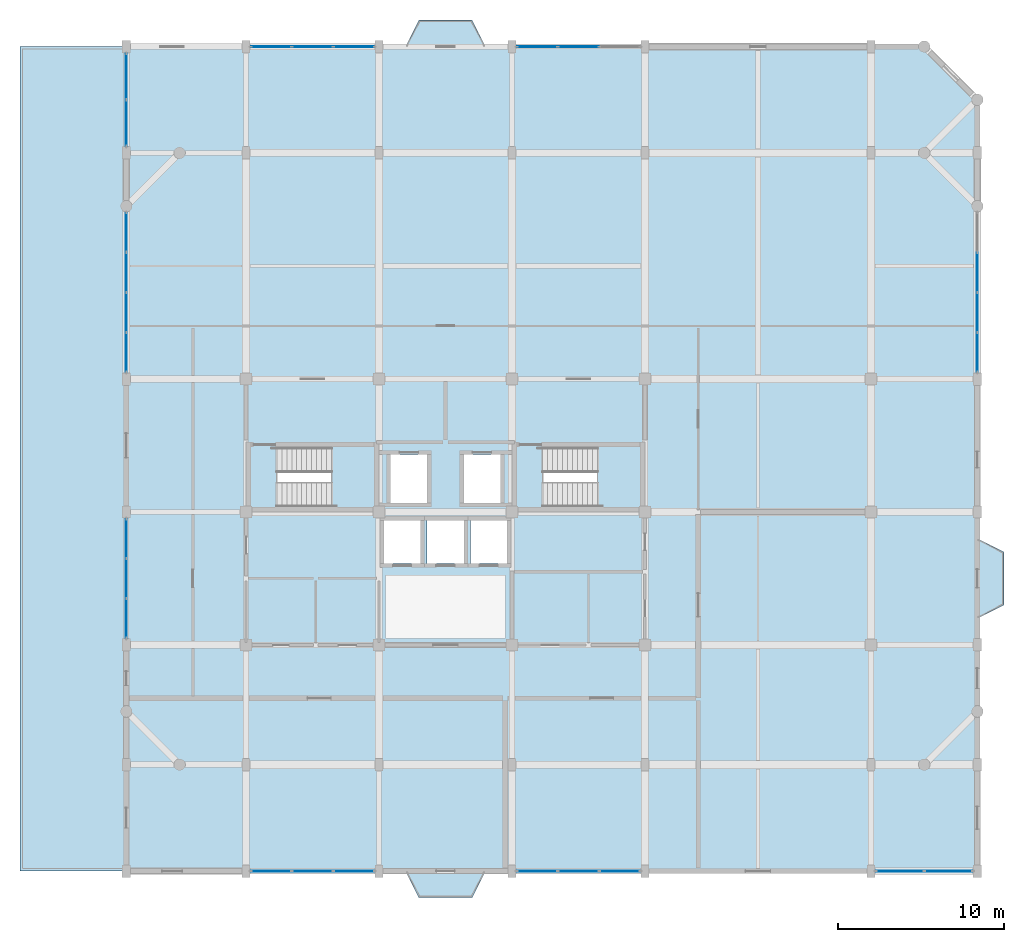
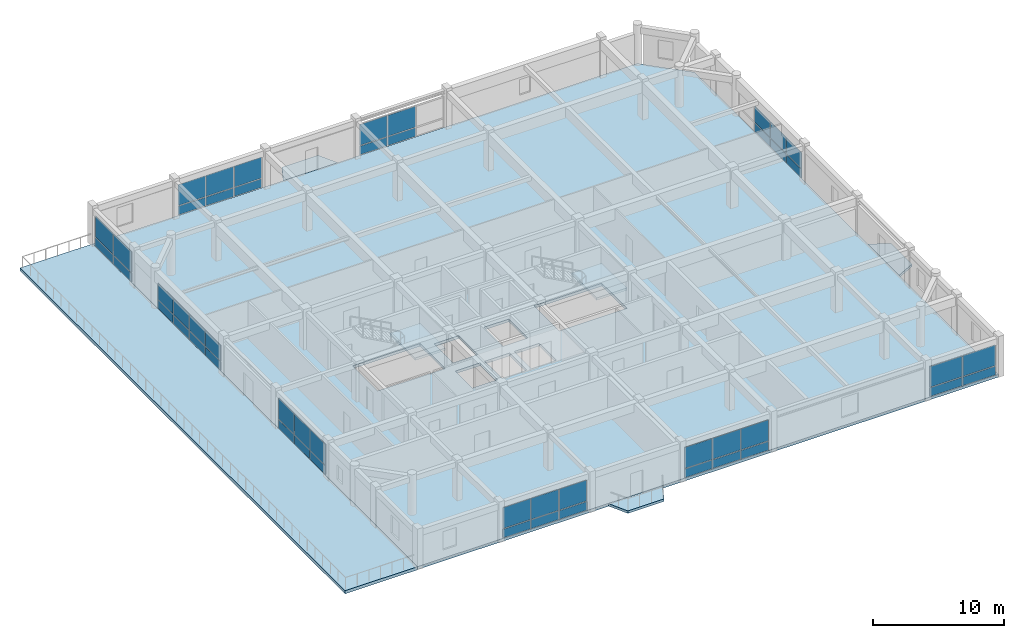
# One storey, part 8 of 13: 50 plates, 7 slabs, 11 elements without a shape of their own.
"""IFC4 building model written with IfcOpenShell, lengths in metres."""

from ifc_helpers import new_model, si_unit, direction, frame, origin, origin_2d, place, context, subcontext, project, spatial, polyline, rectangle, outline, extrude, material, layer, layer_set, type_object, element, aggregate, save


model = new_model("IFC4")

# Units and contexts
model_context = context("Model", 3, precision=1e-05, world=origin(), true_north=direction((0.0, 1.0)))
body_context = subcontext(model_context, "Body", "Model", "MODEL_VIEW")
ifc_project = project(units=[si_unit("LENGTHUNIT", "METRE"), si_unit("AREAUNIT", "SQUARE_METRE"), si_unit("VOLUMEUNIT", "CUBIC_METRE"), si_unit("PLANEANGLEUNIT", "RADIAN"), si_unit("MASSUNIT", "GRAM", prefix="KILO")], contexts=[model_context])

# Site, building, storey
site_placement = place(None, origin())
site = spatial("IfcSite", under=ifc_project, at=site_placement, CompositionType="ELEMENT")
building_placement = place(site_placement, origin())
building = spatial("IfcBuilding", under=site, at=building_placement, Name="Vellmiral Cinema and Media Centre", CompositionType="ELEMENT")
storey_placement = place(building_placement, frame((0.0, 0.0, 39.5)))
storey = spatial("IfcBuildingStorey", under=building, at=storey_placement, Name="L09", CompositionType="ELEMENT", Elevation=39.5)

# Curtain wall, plates
ifc_material_1 = material(Name="Thermally Broken Aluminium and Triple Glazing", Category="aluminium")
curtain_wall_type_1 = type_object("IfcCurtainWallType", Name="CW-TOWER-MID-W", PredefinedType="USERDEFINED", material=ifc_material_1)
curtain_wall_1_placement = place(storey_placement, origin())
curtain_wall_1 = element("IfcCurtainWall", 1, at=curtain_wall_1_placement, inside=storey, type_object=curtain_wall_type_1, Name="Curtain Wall L09-B018", ObjectType="UNITISED CURTAIN WALL", PredefinedType="USERDEFINED")
ifc_material_2 = material(Name="Laminated Studio Acoustic Glazing", Category="glass")
ifc_layer_1 = layer(ifc_material_2, 0.0439453125, Name="Laminated Studio Acoustic Glazing")
ifc_layer_set_1 = layer_set([ifc_layer_1], Name="Laminated Studio Acoustic Glazing")
plate_type_1 = type_object("IfcPlateType", Name="CWP-ACOUST-44", PredefinedType="CURTAIN_PANEL", material=ifc_layer_set_1)
plate_1_placement = place(storey_placement, frame((144.0, 115.199951171875, 0.9326171875), z_axis=(0.0, 0.0, 1.0), x_axis=(-1.0, 0.0, 0.0)))
plate_1 = element("IfcPlate", 2, at=plate_1_placement, type_object=plate_type_1, Name="CW-08 panel 2.2", PredefinedType="CURTAIN_PANEL", context=body_context, shape_type="SweptSolid", body=[
    extrude(rectangle(XDim=2.43505859375, YDim=0.0439453125, at=origin_2d()), origin(), (0.0, 0.0, 1.0), 1.9423828125),
])
plate_2_placement = place(storey_placement, frame((141.516357421875, 115.199951171875, 0.9326171875), z_axis=(0.0, 0.0, 1.0), x_axis=(-1.0, 0.0, 0.0)))
plate_2 = element("IfcPlate", 3, at=plate_2_placement, type_object=plate_type_1, Name="CW-08 panel 3.2", PredefinedType="CURTAIN_PANEL", context=body_context, shape_type="SweptSolid", body=[
    extrude(rectangle(XDim=2.402587890625, YDim=0.0439453125, at=origin_2d()), origin(), (0.0, 0.0, 1.0), 1.9423828125),
])

curtain_wall_2_placement = place(storey_placement, origin())
curtain_wall_2 = element("IfcCurtainWall", 4, at=curtain_wall_2_placement, inside=storey, type_object=curtain_wall_type_1, Name="Curtain Wall L09-B020", ObjectType="UNITISED CURTAIN WALL", PredefinedType="USERDEFINED")
plate_3_placement = place(storey_placement, frame((130.483642578125, 115.199951171875, 0.9326171875), z_axis=(0.0, 0.0, 1.0), x_axis=(-1.0, 0.0, 0.0)))
plate_3 = element("IfcPlate", 5, at=plate_3_placement, type_object=plate_type_1, Name="CW-08 panel 1.2", PredefinedType="CURTAIN_PANEL", context=body_context, shape_type="SweptSolid", body=[
    extrude(rectangle(XDim=2.402587890625, YDim=0.0439453125, at=origin_2d()), origin(), (0.0, 0.0, 1.0), 1.9423828125),
])
plate_4_placement = place(storey_placement, frame((128.0, 115.199951171875, 0.9326171875), z_axis=(0.0, 0.0, 1.0), x_axis=(-1.0, 0.0, 0.0)))
plate_4 = element("IfcPlate", 6, at=plate_4_placement, type_object=plate_type_1, Name="CW-08 panel 2.2", PredefinedType="CURTAIN_PANEL", context=body_context, shape_type="SweptSolid", body=[
    extrude(rectangle(XDim=2.43505859375, YDim=0.0439453125, at=origin_2d()), origin(), (0.0, 0.0, 1.0), 1.9423828125),
])
plate_5_placement = place(storey_placement, frame((125.516357421875, 115.199951171875, 0.9326171875), z_axis=(0.0, 0.0, 1.0), x_axis=(-1.0, 0.0, 0.0)))
plate_5 = element("IfcPlate", 7, at=plate_5_placement, type_object=plate_type_1, Name="CW-08 panel 3.2", PredefinedType="CURTAIN_PANEL", context=body_context, shape_type="SweptSolid", body=[
    extrude(rectangle(XDim=2.402587890625, YDim=0.0439453125, at=origin_2d()), origin(), (0.0, 0.0, 1.0), 1.9423828125),
])

curtain_wall_3_placement = place(storey_placement, origin())
curtain_wall_3 = element("IfcCurtainWall", 8, at=curtain_wall_3_placement, inside=storey, type_object=curtain_wall_type_1, Name="Curtain Wall L09-B022", ObjectType="UNITISED CURTAIN WALL", PredefinedType="USERDEFINED")
plate_6_placement = place(storey_placement, frame((116.800048828125, 113.396240234375, 0.9326171875), z_axis=(0.0, 0.0, 1.0), x_axis=(0.0, -1.0, 0.0)))
plate_6 = element("IfcPlate", 9, at=plate_6_placement, type_object=plate_type_1, Name="CW-08 panel 1.2", PredefinedType="CURTAIN_PANEL", context=body_context, shape_type="SweptSolid", body=[
    extrude(rectangle(XDim=2.7275390625, YDim=0.0439453125, at=origin_2d()), origin(), (0.0, 0.0, 1.0), 1.9423828125),
])
plate_7_placement = place(storey_placement, frame((116.800048828125, 110.603759765625, 0.9326171875), z_axis=(0.0, 0.0, 1.0), x_axis=(0.0, -1.0, 0.0)))
plate_7 = element("IfcPlate", 10, at=plate_7_placement, type_object=plate_type_1, Name="CW-08 panel 2.2", PredefinedType="CURTAIN_PANEL", context=body_context, shape_type="SweptSolid", body=[
    extrude(rectangle(XDim=2.7275390625, YDim=0.0439453125, at=origin_2d()), origin(), (0.0, 0.0, 1.0), 1.9423828125),
])

curtain_wall_4_placement = place(storey_placement, origin())
curtain_wall_4 = element("IfcCurtainWall", 11, at=curtain_wall_4_placement, inside=storey, type_object=curtain_wall_type_1, Name="Curtain Wall L09-B024", ObjectType="UNITISED CURTAIN WALL", PredefinedType="USERDEFINED")
plate_8_placement = place(storey_placement, frame((116.800048828125, 104.0244140625, 0.932373046875), z_axis=(0.0, 0.0, 1.0), x_axis=(0.0, -1.0, 0.0)))
plate_8 = element("IfcPlate", 12, at=plate_8_placement, type_object=plate_type_1, Name="CW-08 panel 1.2", PredefinedType="CURTAIN_PANEL", context=body_context, shape_type="SweptSolid", body=[
    extrude(rectangle(XDim=2.3212890625, YDim=0.0439453125, at=origin_2d()), origin(), (0.0, 0.0, 1.0), 1.4775390625),
])
plate_9_placement = place(storey_placement, frame((116.800048828125, 101.621826171875, 0.932373046875), z_axis=(0.0, 0.0, 1.0), x_axis=(0.0, -1.0, 0.0)))
plate_9 = element("IfcPlate", 13, at=plate_9_placement, type_object=plate_type_1, Name="CW-08 panel 2.2", PredefinedType="CURTAIN_PANEL", context=body_context, shape_type="SweptSolid", body=[
    extrude(rectangle(XDim=2.353759765625, YDim=0.0439453125, at=origin_2d()), origin(), (0.0, 0.0, 1.0), 1.4775390625),
])
plate_10_placement = place(storey_placement, frame((116.800048828125, 99.203125, 0.932373046875), z_axis=(0.0, 0.0, 1.0), x_axis=(0.0, -1.0, 0.0)))
plate_10 = element("IfcPlate", 14, at=plate_10_placement, type_object=plate_type_1, Name="CW-08 panel 3.2", PredefinedType="CURTAIN_PANEL", context=body_context, shape_type="SweptSolid", body=[
    extrude(rectangle(XDim=2.353759765625, YDim=0.0439453125, at=origin_2d()), origin(), (0.0, 0.0, 1.0), 1.4775390625),
])
plate_11_placement = place(storey_placement, frame((116.800048828125, 96.800537109375, 0.932373046875), z_axis=(0.0, 0.0, 1.0), x_axis=(0.0, -1.0, 0.0)))
plate_11 = element("IfcPlate", 15, at=plate_11_placement, type_object=plate_type_1, Name="CW-08 panel 4.2", PredefinedType="CURTAIN_PANEL", context=body_context, shape_type="SweptSolid", body=[
    extrude(rectangle(XDim=2.3212890625, YDim=0.0439453125, at=origin_2d()), origin(), (0.0, 0.0, 1.0), 1.4775390625),
])

curtain_wall_5_placement = place(storey_placement, origin())
curtain_wall_5 = element("IfcCurtainWall", 16, at=curtain_wall_5_placement, inside=storey, type_object=curtain_wall_type_1, Name="Curtain Wall L09-B026", ObjectType="UNITISED CURTAIN WALL", PredefinedType="USERDEFINED")
plate_12_placement = place(storey_placement, frame((116.800048828125, 85.600341796875, 0.9326171875), z_axis=(0.0, 0.0, 1.0), x_axis=(0.0, -1.0, 0.0)))
plate_12 = element("IfcPlate", 17, at=plate_12_placement, type_object=plate_type_1, Name="CW-08 panel 1.2", PredefinedType="CURTAIN_PANEL", context=body_context, shape_type="SweptSolid", body=[
    extrude(rectangle(XDim=2.319091796875, YDim=0.0439453125, at=origin_2d()), origin(), (0.0, 0.0, 1.0), 1.9423828125),
])
plate_13_placement = place(storey_placement, frame((116.800048828125, 83.199951171875, 0.9326171875), z_axis=(0.0, 0.0, 1.0), x_axis=(0.0, -1.0, 0.0)))
plate_13 = element("IfcPlate", 18, at=plate_13_placement, type_object=plate_type_1, Name="CW-08 panel 2.2", PredefinedType="CURTAIN_PANEL", context=body_context, shape_type="SweptSolid", body=[
    extrude(rectangle(XDim=2.3515625, YDim=0.0439453125, at=origin_2d()), origin(), (0.0, 0.0, 1.0), 1.9423828125),
])
plate_14_placement = place(storey_placement, frame((116.800048828125, 80.799560546875, 0.9326171875), z_axis=(0.0, 0.0, 1.0), x_axis=(0.0, -1.0, 0.0)))
plate_14 = element("IfcPlate", 19, at=plate_14_placement, type_object=plate_type_1, Name="CW-08 panel 3.2", PredefinedType="CURTAIN_PANEL", context=body_context, shape_type="SweptSolid", body=[
    extrude(rectangle(XDim=2.319091796875, YDim=0.0439453125, at=origin_2d()), origin(), (0.0, 0.0, 1.0), 1.9423828125),
])

ifc_material_3 = material(Name="Thermally Broken Aluminium and Triple Glazing", Category="aluminium")
curtain_wall_type_2 = type_object("IfcCurtainWallType", Name="CW-TOWER-MID-E", PredefinedType="USERDEFINED", material=ifc_material_3)
curtain_wall_6_placement = place(storey_placement, origin())
curtain_wall_6 = element("IfcCurtainWall", 20, at=curtain_wall_6_placement, inside=storey, type_object=curtain_wall_type_2, Name="Curtain Wall L09-B002", ObjectType="UNITISED CURTAIN WALL", PredefinedType="USERDEFINED")
ifc_material_4 = material(Name="Honed Vosges Sandstone Spandrel Panel", Category="masonry")
ifc_layer_2 = layer(ifc_material_4, 0.06005859375, Name="Honed Vosges Sandstone Spandrel Panel")
ifc_layer_set_2 = layer_set([ifc_layer_2], Name="Honed Vosges Sandstone Spandrel Panel")
plate_type_2 = type_object("IfcPlateType", Name="CWP-SAND-60", PredefinedType="CURTAIN_PANEL", material=ifc_layer_set_2)
plate_15_placement = place(storey_placement, frame((125.516357421875, 65.60009765625, 0.06494140625), z_axis=(0.0, 0.0, 1.0), x_axis=(1.0, 0.0, 0.0)))
plate_15 = element("IfcPlate", 21, at=plate_15_placement, type_object=plate_type_2, Name="CW-07 panel 1.1", PredefinedType="CURTAIN_PANEL", context=body_context, shape_type="SweptSolid", body=[
    extrude(rectangle(XDim=2.402587890625, YDim=0.06005859375, at=origin_2d()), origin(), (0.0, 0.0, 1.0), 0.802490234375),
])
plate_16_placement = place(storey_placement, frame((128.0, 65.60009765625, 0.06494140625), z_axis=(0.0, 0.0, 1.0), x_axis=(1.0, 0.0, 0.0)))
plate_16 = element("IfcPlate", 22, at=plate_16_placement, type_object=plate_type_2, Name="CW-07 panel 2.1", PredefinedType="CURTAIN_PANEL", context=body_context, shape_type="SweptSolid", body=[
    extrude(rectangle(XDim=2.43505859375, YDim=0.06005859375, at=origin_2d()), origin(), (0.0, 0.0, 1.0), 0.802490234375),
])
plate_17_placement = place(storey_placement, frame((130.483642578125, 65.60009765625, 0.06494140625), z_axis=(0.0, 0.0, 1.0), x_axis=(1.0, 0.0, 0.0)))
plate_17 = element("IfcPlate", 23, at=plate_17_placement, type_object=plate_type_2, Name="CW-07 panel 3.1", PredefinedType="CURTAIN_PANEL", context=body_context, shape_type="SweptSolid", body=[
    extrude(rectangle(XDim=2.402587890625, YDim=0.06005859375, at=origin_2d()), origin(), (0.0, 0.0, 1.0), 0.802490234375),
])

curtain_wall_7_placement = place(storey_placement, origin())
curtain_wall_7 = element("IfcCurtainWall", 24, at=curtain_wall_7_placement, inside=storey, type_object=curtain_wall_type_2, Name="Curtain Wall L09-B004", ObjectType="UNITISED CURTAIN WALL", PredefinedType="USERDEFINED")
plate_18_placement = place(storey_placement, frame((141.516357421875, 65.60009765625, 0.06494140625), z_axis=(0.0, 0.0, 1.0), x_axis=(1.0, 0.0, 0.0)))
plate_18 = element("IfcPlate", 25, at=plate_18_placement, type_object=plate_type_2, Name="CW-07 panel 1.1", PredefinedType="CURTAIN_PANEL", context=body_context, shape_type="SweptSolid", body=[
    extrude(rectangle(XDim=2.402587890625, YDim=0.06005859375, at=origin_2d()), origin(), (0.0, 0.0, 1.0), 0.802490234375),
])
plate_19_placement = place(storey_placement, frame((144.0, 65.60009765625, 0.06494140625), z_axis=(0.0, 0.0, 1.0), x_axis=(1.0, 0.0, 0.0)))
plate_19 = element("IfcPlate", 26, at=plate_19_placement, type_object=plate_type_2, Name="CW-07 panel 2.1", PredefinedType="CURTAIN_PANEL", context=body_context, shape_type="SweptSolid", body=[
    extrude(rectangle(XDim=2.43505859375, YDim=0.06005859375, at=origin_2d()), origin(), (0.0, 0.0, 1.0), 0.802490234375),
])
plate_20_placement = place(storey_placement, frame((146.483642578125, 65.60009765625, 0.06494140625), z_axis=(0.0, 0.0, 1.0), x_axis=(1.0, 0.0, 0.0)))
plate_20 = element("IfcPlate", 27, at=plate_20_placement, type_object=plate_type_2, Name="CW-07 panel 3.1", PredefinedType="CURTAIN_PANEL", context=body_context, shape_type="SweptSolid", body=[
    extrude(rectangle(XDim=2.402587890625, YDim=0.06005859375, at=origin_2d()), origin(), (0.0, 0.0, 1.0), 0.802490234375),
])

curtain_wall_8_placement = place(storey_placement, origin())
curtain_wall_8 = element("IfcCurtainWall", 28, at=curtain_wall_8_placement, inside=storey, type_object=curtain_wall_type_2, Name="Curtain Wall L09-B006", ObjectType="UNITISED CURTAIN WALL", PredefinedType="USERDEFINED")
plate_21_placement = place(storey_placement, frame((163.34130859375, 65.60009765625, 0.06494140625), z_axis=(0.0, 0.0, 1.0), x_axis=(1.0, 0.0, 0.0)))
plate_21 = element("IfcPlate", 29, at=plate_21_placement, type_object=plate_type_2, Name="CW-07 panel 1.1", PredefinedType="CURTAIN_PANEL", context=body_context, shape_type="SweptSolid", body=[
    extrude(rectangle(XDim=2.8525390625, YDim=0.06005859375, at=origin_2d()), origin(), (0.0, 0.0, 1.0), 0.802490234375),
])
plate_22_placement = place(storey_placement, frame((166.2587890625, 65.60009765625, 0.06494140625), z_axis=(0.0, 0.0, 1.0), x_axis=(1.0, 0.0, 0.0)))
plate_22 = element("IfcPlate", 30, at=plate_22_placement, type_object=plate_type_2, Name="CW-07 panel 2.1", PredefinedType="CURTAIN_PANEL", context=body_context, shape_type="SweptSolid", body=[
    extrude(rectangle(XDim=2.8525390625, YDim=0.06005859375, at=origin_2d()), origin(), (0.0, 0.0, 1.0), 0.802490234375),
])

curtain_wall_9_placement = place(storey_placement, origin())
curtain_wall_9 = element("IfcCurtainWall", 31, at=curtain_wall_9_placement, inside=storey, type_object=curtain_wall_type_2, Name="Curtain Wall L09-B012", ObjectType="UNITISED CURTAIN WALL", PredefinedType="USERDEFINED")
plate_23_placement = place(storey_placement, frame((168.0, 96.800537109375, 0.06494140625), z_axis=(0.0, 0.0, 1.0), x_axis=(0.0, 1.0, 0.0)))
plate_23 = element("IfcPlate", 32, at=plate_23_placement, type_object=plate_type_2, Name="CW-07 panel 1.1", PredefinedType="CURTAIN_PANEL", context=body_context, shape_type="SweptSolid", body=[
    extrude(rectangle(XDim=2.3212890625, YDim=0.06005859375, at=origin_2d()), origin(), (0.0, 0.0, 1.0), 0.802490234375),
])
plate_24_placement = place(storey_placement, frame((168.0, 99.203125, 0.06494140625), z_axis=(0.0, 0.0, 1.0), x_axis=(0.0, 1.0, 0.0)))
plate_24 = element("IfcPlate", 33, at=plate_24_placement, type_object=plate_type_2, Name="CW-07 panel 2.1", PredefinedType="CURTAIN_PANEL", context=body_context, shape_type="SweptSolid", body=[
    extrude(rectangle(XDim=2.353759765625, YDim=0.06005859375, at=origin_2d()), origin(), (0.0, 0.0, 1.0), 0.802490234375),
])
plate_25_placement = place(storey_placement, frame((168.0, 101.621826171875, 0.06494140625), z_axis=(0.0, 0.0, 1.0), x_axis=(0.0, 1.0, 0.0)))
plate_25 = element("IfcPlate", 34, at=plate_25_placement, type_object=plate_type_2, Name="CW-07 panel 3.1", PredefinedType="CURTAIN_PANEL", context=body_context, shape_type="SweptSolid", body=[
    extrude(rectangle(XDim=2.353759765625, YDim=0.06005859375, at=origin_2d()), origin(), (0.0, 0.0, 1.0), 0.802490234375),
])

# Plate
ifc_material_5 = material(Name="Solar-Control Acoustic Triple Glazing", Category="glass")
ifc_layer_3 = layer(ifc_material_5, 0.0419921875, Name="Solar-Control Acoustic Triple Glazing")
ifc_layer_set_3 = layer_set([ifc_layer_3], Name="Solar-Control Acoustic Triple Glazing")
plate_type_3 = type_object("IfcPlateType", Name="CWP-SOLAR-42", PredefinedType="CURTAIN_PANEL", material=ifc_layer_set_3)
plate_26_placement = place(storey_placement, frame((125.516357421875, 65.60009765625, 0.9326171875), z_axis=(0.0, 0.0, 1.0), x_axis=(1.0, 0.0, 0.0)))
plate_26 = element("IfcPlate", 35, at=plate_26_placement, type_object=plate_type_3, Name="CW-07 panel 1.2", PredefinedType="CURTAIN_PANEL", context=body_context, shape_type="SweptSolid", body=[
    extrude(rectangle(XDim=2.402587890625, YDim=0.0419921875, at=origin_2d()), origin(), (0.0, 0.0, 1.0), 1.9423828125),
])

plate_27_placement = place(storey_placement, frame((128.0, 65.60009765625, 0.9326171875), z_axis=(0.0, 0.0, 1.0), x_axis=(1.0, 0.0, 0.0)))
plate_27 = element("IfcPlate", 36, at=plate_27_placement, type_object=plate_type_3, Name="CW-07 panel 2.2", PredefinedType="CURTAIN_PANEL", context=body_context, shape_type="SweptSolid", body=[
    extrude(rectangle(XDim=2.43505859375, YDim=0.0419921875, at=origin_2d()), origin(), (0.0, 0.0, 1.0), 1.9423828125),
])

plate_28_placement = place(storey_placement, frame((130.483642578125, 65.60009765625, 0.9326171875), z_axis=(0.0, 0.0, 1.0), x_axis=(1.0, 0.0, 0.0)))
plate_28 = element("IfcPlate", 37, at=plate_28_placement, type_object=plate_type_3, Name="CW-07 panel 3.2", PredefinedType="CURTAIN_PANEL", context=body_context, shape_type="SweptSolid", body=[
    extrude(rectangle(XDim=2.402587890625, YDim=0.0419921875, at=origin_2d()), origin(), (0.0, 0.0, 1.0), 1.9423828125),
])

aggregate(curtain_wall_6, [plate_15, plate_26, plate_16, plate_27, plate_17, plate_28])

plate_29_placement = place(storey_placement, frame((141.516357421875, 65.60009765625, 0.9326171875), z_axis=(0.0, 0.0, 1.0), x_axis=(1.0, 0.0, 0.0)))
plate_29 = element("IfcPlate", 38, at=plate_29_placement, type_object=plate_type_3, Name="CW-07 panel 1.2", PredefinedType="CURTAIN_PANEL", context=body_context, shape_type="SweptSolid", body=[
    extrude(rectangle(XDim=2.402587890625, YDim=0.0419921875, at=origin_2d()), origin(), (0.0, 0.0, 1.0), 1.9423828125),
])

plate_30_placement = place(storey_placement, frame((144.0, 65.60009765625, 0.9326171875), z_axis=(0.0, 0.0, 1.0), x_axis=(1.0, 0.0, 0.0)))
plate_30 = element("IfcPlate", 39, at=plate_30_placement, type_object=plate_type_3, Name="CW-07 panel 2.2", PredefinedType="CURTAIN_PANEL", context=body_context, shape_type="SweptSolid", body=[
    extrude(rectangle(XDim=2.43505859375, YDim=0.0419921875, at=origin_2d()), origin(), (0.0, 0.0, 1.0), 1.9423828125),
])

plate_31_placement = place(storey_placement, frame((146.483642578125, 65.60009765625, 0.9326171875), z_axis=(0.0, 0.0, 1.0), x_axis=(1.0, 0.0, 0.0)))
plate_31 = element("IfcPlate", 40, at=plate_31_placement, type_object=plate_type_3, Name="CW-07 panel 3.2", PredefinedType="CURTAIN_PANEL", context=body_context, shape_type="SweptSolid", body=[
    extrude(rectangle(XDim=2.402587890625, YDim=0.0419921875, at=origin_2d()), origin(), (0.0, 0.0, 1.0), 1.9423828125),
])

aggregate(curtain_wall_7, [plate_18, plate_29, plate_19, plate_30, plate_20, plate_31])

plate_32_placement = place(storey_placement, frame((163.34130859375, 65.60009765625, 0.9326171875), z_axis=(0.0, 0.0, 1.0), x_axis=(1.0, 0.0, 0.0)))
plate_32 = element("IfcPlate", 41, at=plate_32_placement, type_object=plate_type_3, Name="CW-07 panel 1.2", PredefinedType="CURTAIN_PANEL", context=body_context, shape_type="SweptSolid", body=[
    extrude(rectangle(XDim=2.8525390625, YDim=0.0419921875, at=origin_2d()), origin(), (0.0, 0.0, 1.0), 1.927490234375),
])

plate_33_placement = place(storey_placement, frame((166.2587890625, 65.60009765625, 0.9326171875), z_axis=(0.0, 0.0, 1.0), x_axis=(1.0, 0.0, 0.0)))
plate_33 = element("IfcPlate", 42, at=plate_33_placement, type_object=plate_type_3, Name="CW-07 panel 2.2", PredefinedType="CURTAIN_PANEL", context=body_context, shape_type="SweptSolid", body=[
    extrude(rectangle(XDim=2.8525390625, YDim=0.0419921875, at=origin_2d()), origin(), (0.0, 0.0, 1.0), 1.927490234375),
])

aggregate(curtain_wall_8, [plate_21, plate_32, plate_22, plate_33])

plate_34_placement = place(storey_placement, frame((168.0, 96.800537109375, 0.932373046875), z_axis=(0.0, 0.0, 1.0), x_axis=(0.0, 1.0, 0.0)))
plate_34 = element("IfcPlate", 43, at=plate_34_placement, type_object=plate_type_3, Name="CW-07 panel 1.2", PredefinedType="CURTAIN_PANEL", context=body_context, shape_type="SweptSolid", body=[
    extrude(rectangle(XDim=2.3212890625, YDim=0.0419921875, at=origin_2d()), origin(), (0.0, 0.0, 1.0), 1.4775390625),
])

plate_35_placement = place(storey_placement, frame((168.0, 99.203125, 0.932373046875), z_axis=(0.0, 0.0, 1.0), x_axis=(0.0, 1.0, 0.0)))
plate_35 = element("IfcPlate", 44, at=plate_35_placement, type_object=plate_type_3, Name="CW-07 panel 2.2", PredefinedType="CURTAIN_PANEL", context=body_context, shape_type="SweptSolid", body=[
    extrude(rectangle(XDim=2.353759765625, YDim=0.0419921875, at=origin_2d()), origin(), (0.0, 0.0, 1.0), 1.4775390625),
])

plate_36_placement = place(storey_placement, frame((168.0, 101.621826171875, 0.932373046875), z_axis=(0.0, 0.0, 1.0), x_axis=(0.0, 1.0, 0.0)))
plate_36 = element("IfcPlate", 45, at=plate_36_placement, type_object=plate_type_3, Name="CW-07 panel 3.2", PredefinedType="CURTAIN_PANEL", context=body_context, shape_type="SweptSolid", body=[
    extrude(rectangle(XDim=2.353759765625, YDim=0.0419921875, at=origin_2d()), origin(), (0.0, 0.0, 1.0), 1.4775390625),
])

aggregate(curtain_wall_9, [plate_23, plate_34, plate_24, plate_35, plate_25, plate_36])

ifc_material_6 = material(Name="Polychrome Trencadis Ceramic Spandrel Panel", Category="ceramic")
ifc_layer_4 = layer(ifc_material_6, 0.052001953125, Name="Polychrome Trencadis Ceramic Spandrel Panel")
ifc_layer_set_4 = layer_set([ifc_layer_4], Name="Polychrome Trencadis Ceramic Spandrel Panel")
plate_type_4 = type_object("IfcPlateType", Name="CWP-TRENC-52", PredefinedType="CURTAIN_PANEL", material=ifc_layer_set_4)
plate_37_placement = place(storey_placement, frame((144.0, 115.199951171875, 0.06494140625), z_axis=(0.0, 0.0, 1.0), x_axis=(-1.0, 0.0, 0.0)))
plate_37 = element("IfcPlate", 46, at=plate_37_placement, type_object=plate_type_4, Name="CW-08 panel 2.1", PredefinedType="CURTAIN_PANEL", context=body_context, shape_type="SweptSolid", body=[
    extrude(rectangle(XDim=2.43505859375, YDim=0.052001953125, at=origin_2d()), origin(), (0.0, 0.0, 1.0), 0.802490234375),
])

plate_38_placement = place(storey_placement, frame((141.516357421875, 115.199951171875, 0.06494140625), z_axis=(0.0, 0.0, 1.0), x_axis=(-1.0, 0.0, 0.0)))
plate_38 = element("IfcPlate", 47, at=plate_38_placement, type_object=plate_type_4, Name="CW-08 panel 3.1", PredefinedType="CURTAIN_PANEL", context=body_context, shape_type="SweptSolid", body=[
    extrude(rectangle(XDim=2.402587890625, YDim=0.052001953125, at=origin_2d()), origin(), (0.0, 0.0, 1.0), 0.802490234375),
])

aggregate(curtain_wall_1, [plate_37, plate_1, plate_38, plate_2])

plate_39_placement = place(storey_placement, frame((130.483642578125, 115.199951171875, 0.06494140625), z_axis=(0.0, 0.0, 1.0), x_axis=(-1.0, 0.0, 0.0)))
plate_39 = element("IfcPlate", 48, at=plate_39_placement, type_object=plate_type_4, Name="CW-08 panel 1.1", PredefinedType="CURTAIN_PANEL", context=body_context, shape_type="SweptSolid", body=[
    extrude(rectangle(XDim=2.402587890625, YDim=0.052001953125, at=origin_2d()), origin(), (0.0, 0.0, 1.0), 0.802490234375),
])

plate_40_placement = place(storey_placement, frame((128.0, 115.199951171875, 0.06494140625), z_axis=(0.0, 0.0, 1.0), x_axis=(-1.0, 0.0, 0.0)))
plate_40 = element("IfcPlate", 49, at=plate_40_placement, type_object=plate_type_4, Name="CW-08 panel 2.1", PredefinedType="CURTAIN_PANEL", context=body_context, shape_type="SweptSolid", body=[
    extrude(rectangle(XDim=2.43505859375, YDim=0.052001953125, at=origin_2d()), origin(), (0.0, 0.0, 1.0), 0.802490234375),
])

plate_41_placement = place(storey_placement, frame((125.516357421875, 115.199951171875, 0.06494140625), z_axis=(0.0, 0.0, 1.0), x_axis=(-1.0, 0.0, 0.0)))
plate_41 = element("IfcPlate", 50, at=plate_41_placement, type_object=plate_type_4, Name="CW-08 panel 3.1", PredefinedType="CURTAIN_PANEL", context=body_context, shape_type="SweptSolid", body=[
    extrude(rectangle(XDim=2.402587890625, YDim=0.052001953125, at=origin_2d()), origin(), (0.0, 0.0, 1.0), 0.802490234375),
])

aggregate(curtain_wall_2, [plate_39, plate_3, plate_40, plate_4, plate_41, plate_5])

plate_42_placement = place(storey_placement, frame((116.800048828125, 113.396240234375, 0.06494140625), z_axis=(0.0, 0.0, 1.0), x_axis=(0.0, -1.0, 0.0)))
plate_42 = element("IfcPlate", 51, at=plate_42_placement, type_object=plate_type_4, Name="CW-08 panel 1.1", PredefinedType="CURTAIN_PANEL", context=body_context, shape_type="SweptSolid", body=[
    extrude(rectangle(XDim=2.7275390625, YDim=0.052001953125, at=origin_2d()), origin(), (0.0, 0.0, 1.0), 0.802490234375),
])

plate_43_placement = place(storey_placement, frame((116.800048828125, 110.603759765625, 0.06494140625), z_axis=(0.0, 0.0, 1.0), x_axis=(0.0, -1.0, 0.0)))
plate_43 = element("IfcPlate", 52, at=plate_43_placement, type_object=plate_type_4, Name="CW-08 panel 2.1", PredefinedType="CURTAIN_PANEL", context=body_context, shape_type="SweptSolid", body=[
    extrude(rectangle(XDim=2.7275390625, YDim=0.052001953125, at=origin_2d()), origin(), (0.0, 0.0, 1.0), 0.802490234375),
])

aggregate(curtain_wall_3, [plate_42, plate_6, plate_43, plate_7])

plate_44_placement = place(storey_placement, frame((116.800048828125, 104.0244140625, 0.06494140625), z_axis=(0.0, 0.0, 1.0), x_axis=(0.0, -1.0, 0.0)))
plate_44 = element("IfcPlate", 53, at=plate_44_placement, type_object=plate_type_4, Name="CW-08 panel 1.1", PredefinedType="CURTAIN_PANEL", context=body_context, shape_type="SweptSolid", body=[
    extrude(rectangle(XDim=2.3212890625, YDim=0.052001953125, at=origin_2d()), origin(), (0.0, 0.0, 1.0), 0.802490234375),
])

plate_45_placement = place(storey_placement, frame((116.800048828125, 101.621826171875, 0.06494140625), z_axis=(0.0, 0.0, 1.0), x_axis=(0.0, -1.0, 0.0)))
plate_45 = element("IfcPlate", 54, at=plate_45_placement, type_object=plate_type_4, Name="CW-08 panel 2.1", PredefinedType="CURTAIN_PANEL", context=body_context, shape_type="SweptSolid", body=[
    extrude(rectangle(XDim=2.353759765625, YDim=0.052001953125, at=origin_2d()), origin(), (0.0, 0.0, 1.0), 0.802490234375),
])

plate_46_placement = place(storey_placement, frame((116.800048828125, 99.203125, 0.06494140625), z_axis=(0.0, 0.0, 1.0), x_axis=(0.0, -1.0, 0.0)))
plate_46 = element("IfcPlate", 55, at=plate_46_placement, type_object=plate_type_4, Name="CW-08 panel 3.1", PredefinedType="CURTAIN_PANEL", context=body_context, shape_type="SweptSolid", body=[
    extrude(rectangle(XDim=2.353759765625, YDim=0.052001953125, at=origin_2d()), origin(), (0.0, 0.0, 1.0), 0.802490234375),
])

plate_47_placement = place(storey_placement, frame((116.800048828125, 96.800537109375, 0.06494140625), z_axis=(0.0, 0.0, 1.0), x_axis=(0.0, -1.0, 0.0)))
plate_47 = element("IfcPlate", 56, at=plate_47_placement, type_object=plate_type_4, Name="CW-08 panel 4.1", PredefinedType="CURTAIN_PANEL", context=body_context, shape_type="SweptSolid", body=[
    extrude(rectangle(XDim=2.3212890625, YDim=0.052001953125, at=origin_2d()), origin(), (0.0, 0.0, 1.0), 0.802490234375),
])

aggregate(curtain_wall_4, [plate_44, plate_8, plate_45, plate_9, plate_46, plate_10, plate_47, plate_11])

plate_48_placement = place(storey_placement, frame((116.800048828125, 85.600341796875, 0.06494140625), z_axis=(0.0, 0.0, 1.0), x_axis=(0.0, -1.0, 0.0)))
plate_48 = element("IfcPlate", 57, at=plate_48_placement, type_object=plate_type_4, Name="CW-08 panel 1.1", PredefinedType="CURTAIN_PANEL", context=body_context, shape_type="SweptSolid", body=[
    extrude(rectangle(XDim=2.319091796875, YDim=0.052001953125, at=origin_2d()), origin(), (0.0, 0.0, 1.0), 0.802490234375),
])

plate_49_placement = place(storey_placement, frame((116.800048828125, 83.199951171875, 0.06494140625), z_axis=(0.0, 0.0, 1.0), x_axis=(0.0, -1.0, 0.0)))
plate_49 = element("IfcPlate", 58, at=plate_49_placement, type_object=plate_type_4, Name="CW-08 panel 2.1", PredefinedType="CURTAIN_PANEL", context=body_context, shape_type="SweptSolid", body=[
    extrude(rectangle(XDim=2.3515625, YDim=0.052001953125, at=origin_2d()), origin(), (0.0, 0.0, 1.0), 0.802490234375),
])

plate_50_placement = place(storey_placement, frame((116.800048828125, 80.799560546875, 0.06494140625), z_axis=(0.0, 0.0, 1.0), x_axis=(0.0, -1.0, 0.0)))
plate_50 = element("IfcPlate", 59, at=plate_50_placement, type_object=plate_type_4, Name="CW-08 panel 3.1", PredefinedType="CURTAIN_PANEL", context=body_context, shape_type="SweptSolid", body=[
    extrude(rectangle(XDim=2.319091796875, YDim=0.052001953125, at=origin_2d()), origin(), (0.0, 0.0, 1.0), 0.802490234375),
])

aggregate(curtain_wall_5, [plate_48, plate_12, plate_49, plate_13, plate_50, plate_14])

# Slab
ifc_material_7 = material(Name="Concrete C40/50", Category="concrete")
ifc_layer_5 = layer(ifc_material_7, 0.260009765625, Name="Concrete C40/50")
ifc_layer_set_5 = layer_set([ifc_layer_5], Name="Concrete C40/50")
slab_type_1 = type_object("IfcSlabType", Name="SLB-FLR-260", PredefinedType="FLOOR", material=ifc_layer_set_5)
slab_1_placement = place(storey_placement, frame((0.0, 0.0, -0.260009765625)))
element("IfcSlab", 60, at=slab_1_placement, inside=storey, type_object=slab_type_1, Name="L09 Structural Slab", PredefinedType="FLOOR", context=body_context, shape_type="SweptSolid", body=[
    extrude(outline(polyline([(116.800048828125, 65.60009765625), (168.0, 65.60009765625), (168.0, 112.0), (164.800048828125, 115.199951171875), (116.800048828125, 115.199951171875), (116.800048828125, 65.60009765625)]), holes=[polyline([(125.85009765625, 87.3798828125), (131.820068359375, 87.3798828125), (131.820068359375, 91.219970703125), (125.85009765625, 91.219970703125), (125.85009765625, 87.3798828125)]), polyline([(141.85009765625, 87.3798828125), (147.820068359375, 87.3798828125), (147.820068359375, 91.219970703125), (141.85009765625, 91.219970703125), (141.85009765625, 87.3798828125)]), polyline([(132.699951171875, 87.75), (134.89990234375, 87.75), (134.89990234375, 90.64990234375), (132.699951171875, 90.64990234375), (132.699951171875, 87.75)]), polyline([(137.10009765625, 87.75), (139.300048828125, 87.75), (139.300048828125, 90.64990234375), (137.10009765625, 90.64990234375), (137.10009765625, 87.75)]), polyline([(132.300048828125, 84.10009765625), (134.5, 84.10009765625), (134.5, 86.699951171875), (132.300048828125, 86.699951171875), (132.300048828125, 84.10009765625)]), polyline([(134.89990234375, 84.10009765625), (137.10009765625, 84.10009765625), (137.10009765625, 86.699951171875), (134.89990234375, 86.699951171875), (134.89990234375, 84.10009765625)]), polyline([(137.5, 84.10009765625), (139.699951171875, 84.10009765625), (139.699951171875, 86.699951171875), (137.5, 86.699951171875), (137.5, 84.10009765625)])]), origin(), (0.0, 0.0, 1.0), 0.260009765625),
])

# Stair, slab
ifc_material_8 = material(Name="Concrete C40/50", Category="concrete")
stair_type = type_object("IfcStairType", Name="ST-2RET-380", PredefinedType="HALF_TURN_STAIR", material=ifc_material_8)
stair_1_placement = place(storey_placement, origin())
stair_1 = element("IfcStair", 61, at=stair_1_placement, inside=storey, type_object=stair_type, Name="Protected Escape Stair ST-T1 (L09)", PredefinedType="HALF_TURN_STAIR")
ifc_material_9 = material(Name="Concrete C40/50", Category="concrete")
ifc_layer_6 = layer(ifc_material_9, 0.219970703125, Name="Concrete C40/50")
ifc_layer_set_6 = layer_set([ifc_layer_6], Name="Concrete C40/50")
slab_type_2 = type_object("IfcSlabType", Name="SLB-LAND-220", PredefinedType="LANDING", material=ifc_layer_set_6)
slab_2_placement = place(storey_placement, frame((0.0, 0.0, 1.679931640625)))
slab_2 = element("IfcSlab", 62, at=slab_2_placement, type_object=slab_type_2, Name="ST-T1 landing 1", PredefinedType="LANDING", context=body_context, shape_type="SweptSolid", body=[
    extrude(outline(polyline([(129.14990234375, 87.3798828125), (131.820068359375, 87.3798828125), (131.820068359375, 91.219970703125), (129.14990234375, 91.219970703125), (129.14990234375, 87.3798828125)])), origin(), (0.0, 0.0, 1.0), 0.219970703125),
])
aggregate(stair_1, [slab_2])

stair_2_placement = place(storey_placement, origin())
stair_2 = element("IfcStair", 63, at=stair_2_placement, inside=storey, type_object=stair_type, Name="Protected Escape Stair ST-T2 (L09)", PredefinedType="HALF_TURN_STAIR")
slab_3_placement = place(storey_placement, frame((0.0, 0.0, 1.679931640625)))
slab_3 = element("IfcSlab", 64, at=slab_3_placement, type_object=slab_type_2, Name="ST-T2 landing 1", PredefinedType="LANDING", context=body_context, shape_type="SweptSolid", body=[
    extrude(outline(polyline([(145.14990234375, 87.3798828125), (147.820068359375, 87.3798828125), (147.820068359375, 91.219970703125), (145.14990234375, 91.219970703125), (145.14990234375, 87.3798828125)])), origin(), (0.0, 0.0, 1.0), 0.219970703125),
])
aggregate(stair_2, [slab_3])

# Slabs
ifc_material_10 = material(Name="Concrete C40/50", Category="concrete")
ifc_layer_7 = layer(ifc_material_10, 0.22998046875, Name="Concrete C40/50")
ifc_layer_set_7 = layer_set([ifc_layer_7], Name="Concrete C40/50")
slab_type_3 = type_object("IfcSlabType", Name="SLB-MIRA-230", PredefinedType="FLOOR", material=ifc_layer_set_7)
slab_4_placement = place(storey_placement, frame((0.0, 0.0, -0.22998046875)))
element("IfcSlab", 65, at=slab_4_placement, inside=storey, type_object=slab_type_3, Name="Catalan Mirador Balcony L09-E", PredefinedType="FLOOR", context=body_context, shape_type="SweptSolid", body=[
    extrude(outline(polyline([(168.0, 80.800048828125), (169.60009765625, 81.60009765625), (169.60009765625, 84.800048828125), (168.0, 85.60009765625), (168.0, 80.800048828125)])), origin(), (0.0, 0.0, 1.0), 0.22998046875),
])
slab_5_placement = place(storey_placement, frame((0.0, 0.0, -0.22998046875)))
element("IfcSlab", 66, at=slab_5_placement, inside=storey, type_object=slab_type_3, Name="Catalan Mirador Balcony L09-N", PredefinedType="FLOOR", context=body_context, shape_type="SweptSolid", body=[
    extrude(outline(polyline([(133.60009765625, 115.199951171875), (138.39990234375, 115.199951171875), (137.60009765625, 116.800048828125), (134.39990234375, 116.800048828125), (133.60009765625, 115.199951171875)])), origin(), (0.0, 0.0, 1.0), 0.22998046875),
])
slab_6_placement = place(storey_placement, frame((0.0, 0.0, -0.22998046875)))
element("IfcSlab", 67, at=slab_6_placement, inside=storey, type_object=slab_type_3, Name="Catalan Mirador Balcony L09-S", PredefinedType="FLOOR", context=body_context, shape_type="SweptSolid", body=[
    extrude(outline(polyline([(133.60009765625, 65.60009765625), (134.39990234375, 64.0), (137.60009765625, 64.0), (138.39990234375, 65.60009765625), (133.60009765625, 65.60009765625)])), origin(), (0.0, 0.0, 1.0), 0.22998046875),
])
ifc_material_11 = material(Name="Concrete C40/50", Category="concrete")
ifc_layer_8 = layer(ifc_material_11, 0.2900390625, Name="Concrete C40/50")
ifc_layer_set_8 = layer_set([ifc_layer_8], Name="Concrete C40/50")
slab_type_4 = type_object("IfcSlabType", Name="SLB-TERR-290", PredefinedType="FLOOR", material=ifc_layer_set_8)
slab_7_placement = place(storey_placement, frame((0.0, 0.0, -0.2900390625)))
element("IfcSlab", 68, at=slab_7_placement, inside=storey, type_object=slab_type_4, Name="Podcast Garden Setback Terrace", PredefinedType="FLOOR", context=body_context, shape_type="SweptSolid", body=[
    extrude(outline(polyline([(110.39990234375, 65.60009765625), (116.800048828125, 65.60009765625), (116.800048828125, 115.199951171875), (110.39990234375, 115.199951171875), (110.39990234375, 65.60009765625)])), origin(), (0.0, 0.0, 1.0), 0.2900390625),
])

save(model, "model.ifc")
